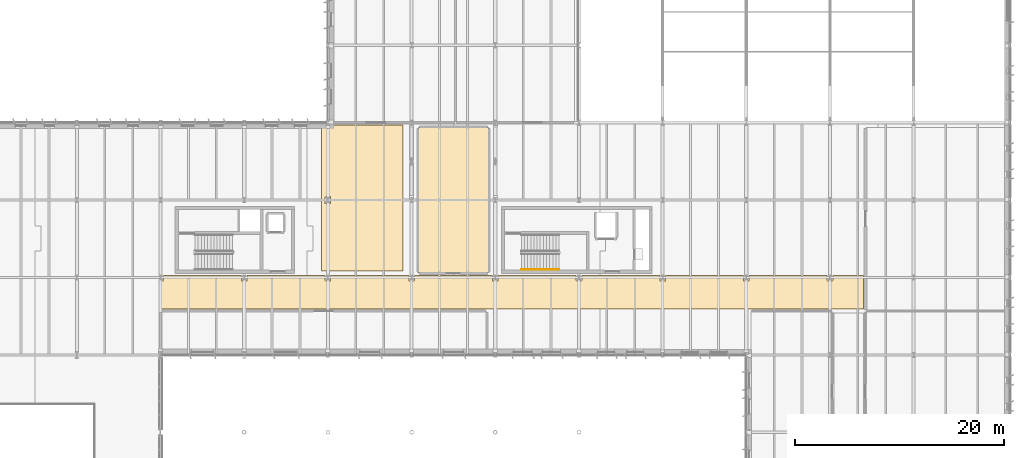
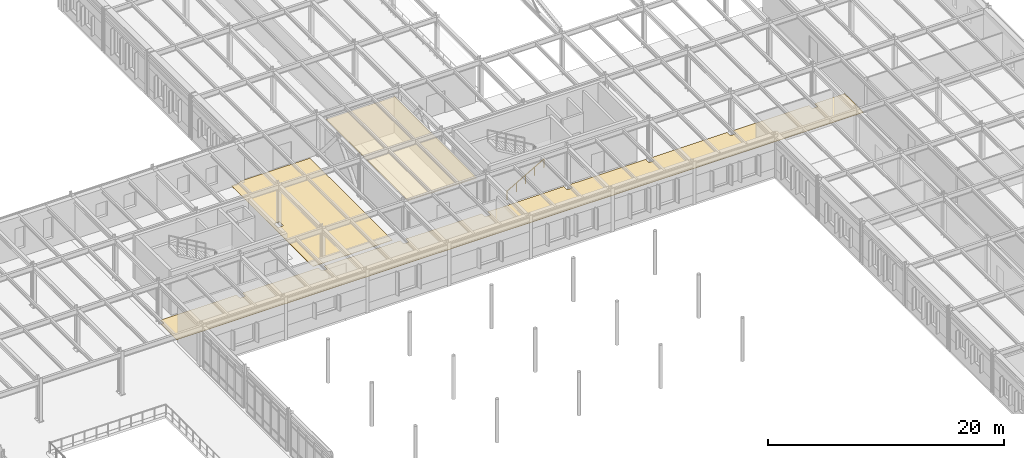
# One storey, part 67 of 75: 3 coverings, 1 railing.
"""IFC4 building model written with IfcOpenShell, lengths in metres."""

from ifc_helpers import new_model, si_unit, direction, frame, origin, origin_2d, place, context, subcontext, project, spatial, polyline, circle, outline, extrude, material, layer, layer_set, type_object, element, save


model = new_model("IFC4")

# Units and contexts
model_context = context("Model", 3, precision=1e-05, world=origin(), true_north=direction((0.0, 1.0)))
body_context = subcontext(model_context, "Body", "Model", "MODEL_VIEW")
ifc_project = project(units=[si_unit("LENGTHUNIT", "METRE"), si_unit("AREAUNIT", "SQUARE_METRE"), si_unit("VOLUMEUNIT", "CUBIC_METRE"), si_unit("PLANEANGLEUNIT", "RADIAN"), si_unit("MASSUNIT", "GRAM", prefix="KILO")], contexts=[model_context])

# Site, building, storey
site_placement = place(None, origin())
site = spatial("IfcSite", under=ifc_project, at=site_placement, CompositionType="ELEMENT")
building_placement = place(site_placement, origin())
building = spatial("IfcBuilding", under=site, at=building_placement, Name="Valkorina Park Police Headquarters", CompositionType="ELEMENT")
storey_placement = place(building_placement, frame((0.0, 0.0, 5.39990234375)))
storey = spatial("IfcBuildingStorey", under=building, at=storey_placement, Name="L02", CompositionType="ELEMENT", Elevation=5.39990234375)

# Coverings
ifc_material_1 = material(Name="Acoustic mineral board")
ifc_layer_1 = layer(ifc_material_1, 0.02490234375)
ifc_layer_set_1 = layer_set([ifc_layer_1], Name="Acoustic mineral board")
covering_type_1 = type_object("IfcCoveringType", Name="COV-CEILING-ACOUST", PredefinedType="CEILING", material=ifc_layer_set_1)
covering_1_placement = place(storey_placement, frame((0.0, 0.0, 3.6650390625)))
element("IfcCovering", 1, at=covering_1_placement, inside=storey, type_object=covering_type_1, Name="Network Core and Cryptography Room Acoustic Suspended Ceiling", PredefinedType="CEILING", context=body_context, shape_type="SweptSolid", body=[
    extrude(outline(polyline([(112.158447265625, 67.1044921875), (112.15966796875, 67.1123046875), (112.159912109375, 67.1201171875), (112.159912109375, 80.8798828125), (112.15966796875, 80.8876953125), (112.158447265625, 80.8955078125), (112.156494140625, 80.9033203125), (112.15380859375, 80.91064453125), (112.150634765625, 80.917724609375), (112.146484375, 80.92431640625), (112.141845703125, 80.930908203125), (112.13671875, 80.9365234375), (112.130859375, 80.94189453125), (112.12451171875, 80.946533203125), (112.11767578125, 80.95068359375), (112.110595703125, 80.953857421875), (112.103271484375, 80.95654296875), (112.095703125, 80.95849609375), (112.087890625, 80.959716796875), (112.080078125, 80.9599609375), (105.52001953125, 80.9599609375), (105.51220703125, 80.959716796875), (105.50439453125, 80.95849609375), (105.496826171875, 80.95654296875), (105.489501953125, 80.953857421875), (105.482421875, 80.95068359375), (105.4755859375, 80.946533203125), (105.46923828125, 80.94189453125), (105.46337890625, 80.9365234375), (105.458251953125, 80.930908203125), (105.45361328125, 80.92431640625), (105.449462890625, 80.917724609375), (105.446044921875, 80.91064453125), (105.443359375, 80.9033203125), (105.44140625, 80.8955078125), (105.4404296875, 80.8876953125), (105.43994140625, 80.8798828125), (105.43994140625, 67.1201171875), (105.4404296875, 67.1123046875), (105.44140625, 67.1044921875), (105.443359375, 67.0966796875), (105.446044921875, 67.08935546875), (105.449462890625, 67.082275390625), (105.45361328125, 67.07568359375), (105.458251953125, 67.069091796875), (105.46337890625, 67.0634765625), (105.46923828125, 67.05810546875), (105.4755859375, 67.053466796875), (105.482421875, 67.04931640625), (105.489501953125, 67.046142578125), (105.496826171875, 67.04345703125), (105.50439453125, 67.04150390625), (105.51220703125, 67.040283203125), (105.52001953125, 67.0400390625), (112.080078125, 67.0400390625), (112.087890625, 67.040283203125), (112.095703125, 67.04150390625), (112.103271484375, 67.04345703125), (112.110595703125, 67.046142578125), (112.11767578125, 67.04931640625), (112.12451171875, 67.053466796875), (112.130859375, 67.05810546875), (112.13671875, 67.0634765625), (112.141845703125, 67.069091796875), (112.146484375, 67.07568359375), (112.150634765625, 67.082275390625), (112.15380859375, 67.08935546875), (112.156494140625, 67.0966796875), (112.158447265625, 67.1044921875)])), origin(), (0.0, 0.0, 1.0), 0.025146484375),
])
ifc_material_2 = material(Name="Resin terrazzo flooring")
ifc_layer_2 = layer(ifc_material_2, 0.030029296875)
ifc_layer_set_2 = layer_set([ifc_layer_2], Name="Resin terrazzo flooring")
covering_type_2 = type_object("IfcCoveringType", Name="COV-FLOOR-TERRAZZO", PredefinedType="FLOORING", material=ifc_layer_set_2)
covering_2_placement = place(storey_placement, origin())
element("IfcCovering", 2, at=covering_2_placement, inside=storey, type_object=covering_type_2, Name="L02 IT and Forensics Corridor Terrazzo Flooring", PredefinedType="FLOORING", context=body_context, shape_type="SweptSolid", body=[
    extrude(outline(polyline([(81.070068359375, 66.3349609375), (81.069580078125, 66.3271484375), (81.068603515625, 66.3193359375), (81.066650390625, 66.311767578125), (81.06396484375, 66.304443359375), (81.060546875, 66.29736328125), (81.056396484375, 66.29052734375), (81.0517578125, 66.2841796875), (81.046630859375, 66.2783203125), (81.040771484375, 66.273193359375), (81.034423828125, 66.2685546875), (81.027587890625, 66.264404296875), (81.0205078125, 66.260986328125), (81.01318359375, 66.25830078125), (81.005615234375, 66.256591796875), (80.997802734375, 66.25537109375), (80.989990234375, 66.2548828125), (80.800048828125, 66.2548828125), (80.800048828125, 63.60009765625), (148.0, 63.60009765625), (148.0, 66.800048828125), (145.070068359375, 66.800048828125), (145.070068359375, 66.3349609375), (145.069580078125, 66.3271484375), (145.068603515625, 66.3193359375), (145.066650390625, 66.311767578125), (145.06396484375, 66.304443359375), (145.060546875, 66.29736328125), (145.056396484375, 66.29052734375), (145.0517578125, 66.2841796875), (145.046630859375, 66.2783203125), (145.040771484375, 66.273193359375), (145.034423828125, 66.2685546875), (145.027587890625, 66.264404296875), (145.0205078125, 66.260986328125), (145.01318359375, 66.25830078125), (145.005615234375, 66.256591796875), (144.997802734375, 66.25537109375), (144.989990234375, 66.2548828125), (144.610107421875, 66.2548828125), (144.602294921875, 66.25537109375), (144.594482421875, 66.256591796875), (144.5869140625, 66.25830078125), (144.579345703125, 66.260986328125), (144.572265625, 66.264404296875), (144.565673828125, 66.2685546875), (144.55908203125, 66.273193359375), (144.553466796875, 66.2783203125), (144.548095703125, 66.2841796875), (144.54345703125, 66.29052734375), (144.539306640625, 66.29736328125), (144.5361328125, 66.304443359375), (144.533447265625, 66.311767578125), (144.531494140625, 66.3193359375), (144.530517578125, 66.3271484375), (144.530029296875, 66.3349609375), (144.530029296875, 66.800048828125), (137.070068359375, 66.800048828125), (137.070068359375, 66.3349609375), (137.069580078125, 66.3271484375), (137.068603515625, 66.3193359375), (137.066650390625, 66.311767578125), (137.06396484375, 66.304443359375), (137.060546875, 66.29736328125), (137.056396484375, 66.29052734375), (137.0517578125, 66.2841796875), (137.046630859375, 66.2783203125), (137.040771484375, 66.273193359375), (137.034423828125, 66.2685546875), (137.027587890625, 66.264404296875), (137.0205078125, 66.260986328125), (137.01318359375, 66.25830078125), (137.005615234375, 66.256591796875), (136.997802734375, 66.25537109375), (136.989990234375, 66.2548828125), (136.610107421875, 66.2548828125), (136.602294921875, 66.25537109375), (136.594482421875, 66.256591796875), (136.5869140625, 66.25830078125), (136.579345703125, 66.260986328125), (136.572265625, 66.264404296875), (136.565673828125, 66.2685546875), (136.55908203125, 66.273193359375), (136.553466796875, 66.2783203125), (136.548095703125, 66.2841796875), (136.54345703125, 66.29052734375), (136.539306640625, 66.29736328125), (136.5361328125, 66.304443359375), (136.533447265625, 66.311767578125), (136.531494140625, 66.3193359375), (136.530517578125, 66.3271484375), (136.530029296875, 66.3349609375), (136.530029296875, 66.800048828125), (129.070068359375, 66.800048828125), (129.070068359375, 66.3349609375), (129.069580078125, 66.3271484375), (129.068603515625, 66.3193359375), (129.066650390625, 66.311767578125), (129.06396484375, 66.304443359375), (129.060546875, 66.29736328125), (129.056396484375, 66.29052734375), (129.0517578125, 66.2841796875), (129.046630859375, 66.2783203125), (129.040771484375, 66.273193359375), (129.034423828125, 66.2685546875), (129.027587890625, 66.264404296875), (129.0205078125, 66.260986328125), (129.01318359375, 66.25830078125), (129.005615234375, 66.256591796875), (128.997802734375, 66.25537109375), (128.989990234375, 66.2548828125), (128.610107421875, 66.2548828125), (128.602294921875, 66.25537109375), (128.594482421875, 66.256591796875), (128.5869140625, 66.25830078125), (128.579345703125, 66.260986328125), (128.572265625, 66.264404296875), (128.565673828125, 66.2685546875), (128.55908203125, 66.273193359375), (128.553466796875, 66.2783203125), (128.548095703125, 66.2841796875), (128.54345703125, 66.29052734375), (128.539306640625, 66.29736328125), (128.5361328125, 66.304443359375), (128.533447265625, 66.311767578125), (128.531494140625, 66.3193359375), (128.530517578125, 66.3271484375), (128.530029296875, 66.3349609375), (128.530029296875, 66.800048828125), (121.070068359375, 66.800048828125), (121.070068359375, 66.3349609375), (121.069580078125, 66.3271484375), (121.068603515625, 66.3193359375), (121.066650390625, 66.311767578125), (121.06396484375, 66.304443359375), (121.060546875, 66.29736328125), (121.056396484375, 66.29052734375), (121.0517578125, 66.2841796875), (121.046630859375, 66.2783203125), (121.040771484375, 66.273193359375), (121.034423828125, 66.2685546875), (121.027587890625, 66.264404296875), (121.0205078125, 66.260986328125), (121.01318359375, 66.25830078125), (121.005615234375, 66.256591796875), (120.997802734375, 66.25537109375), (120.989990234375, 66.2548828125), (120.610107421875, 66.2548828125), (120.602294921875, 66.25537109375), (120.594482421875, 66.256591796875), (120.5869140625, 66.25830078125), (120.579345703125, 66.260986328125), (120.572265625, 66.264404296875), (120.565673828125, 66.2685546875), (120.55908203125, 66.273193359375), (120.553466796875, 66.2783203125), (120.548095703125, 66.2841796875), (120.54345703125, 66.29052734375), (120.539306640625, 66.29736328125), (120.5361328125, 66.304443359375), (120.533447265625, 66.311767578125), (120.531494140625, 66.3193359375), (120.530517578125, 66.3271484375), (120.530029296875, 66.3349609375), (120.530029296875, 66.800048828125), (113.070068359375, 66.800048828125), (113.070068359375, 66.3349609375), (113.069580078125, 66.3271484375), (113.068603515625, 66.3193359375), (113.066650390625, 66.311767578125), (113.06396484375, 66.304443359375), (113.060546875, 66.29736328125), (113.056396484375, 66.29052734375), (113.0517578125, 66.2841796875), (113.046630859375, 66.2783203125), (113.040771484375, 66.273193359375), (113.034423828125, 66.2685546875), (113.027587890625, 66.264404296875), (113.0205078125, 66.260986328125), (113.01318359375, 66.25830078125), (113.005615234375, 66.256591796875), (112.997802734375, 66.25537109375), (112.989990234375, 66.2548828125), (112.610107421875, 66.2548828125), (112.602294921875, 66.25537109375), (112.594482421875, 66.256591796875), (112.5869140625, 66.25830078125), (112.579345703125, 66.260986328125), (112.572265625, 66.264404296875), (112.565673828125, 66.2685546875), (112.55908203125, 66.273193359375), (112.553466796875, 66.2783203125), (112.548095703125, 66.2841796875), (112.54345703125, 66.29052734375), (112.539306640625, 66.29736328125), (112.5361328125, 66.304443359375), (112.533447265625, 66.311767578125), (112.531494140625, 66.3193359375), (112.530517578125, 66.3271484375), (112.530029296875, 66.3349609375), (112.530029296875, 66.800048828125), (105.070068359375, 66.800048828125), (105.070068359375, 66.3349609375), (105.069580078125, 66.3271484375), (105.068603515625, 66.3193359375), (105.066650390625, 66.311767578125), (105.06396484375, 66.304443359375), (105.060546875, 66.29736328125), (105.056396484375, 66.29052734375), (105.0517578125, 66.2841796875), (105.046630859375, 66.2783203125), (105.040771484375, 66.273193359375), (105.034423828125, 66.2685546875), (105.027587890625, 66.264404296875), (105.0205078125, 66.260986328125), (105.01318359375, 66.25830078125), (105.005615234375, 66.256591796875), (104.997802734375, 66.25537109375), (104.989990234375, 66.2548828125), (104.610107421875, 66.2548828125), (104.602294921875, 66.25537109375), (104.594482421875, 66.256591796875), (104.5869140625, 66.25830078125), (104.579345703125, 66.260986328125), (104.572265625, 66.264404296875), (104.565673828125, 66.2685546875), (104.55908203125, 66.273193359375), (104.553466796875, 66.2783203125), (104.548095703125, 66.2841796875), (104.54345703125, 66.29052734375), (104.539306640625, 66.29736328125), (104.5361328125, 66.304443359375), (104.533447265625, 66.311767578125), (104.531494140625, 66.3193359375), (104.530517578125, 66.3271484375), (104.530029296875, 66.3349609375), (104.530029296875, 66.800048828125), (97.070068359375, 66.800048828125), (97.070068359375, 66.3349609375), (97.069580078125, 66.3271484375), (97.068603515625, 66.3193359375), (97.066650390625, 66.311767578125), (97.06396484375, 66.304443359375), (97.060546875, 66.29736328125), (97.056396484375, 66.29052734375), (97.0517578125, 66.2841796875), (97.046630859375, 66.2783203125), (97.040771484375, 66.273193359375), (97.034423828125, 66.2685546875), (97.027587890625, 66.264404296875), (97.0205078125, 66.260986328125), (97.01318359375, 66.25830078125), (97.005615234375, 66.256591796875), (96.997802734375, 66.25537109375), (96.989990234375, 66.2548828125), (96.610107421875, 66.2548828125), (96.602294921875, 66.25537109375), (96.594482421875, 66.256591796875), (96.5869140625, 66.25830078125), (96.579345703125, 66.260986328125), (96.572265625, 66.264404296875), (96.565673828125, 66.2685546875), (96.55908203125, 66.273193359375), (96.553466796875, 66.2783203125), (96.548095703125, 66.2841796875), (96.54345703125, 66.29052734375), (96.539306640625, 66.29736328125), (96.5361328125, 66.304443359375), (96.533447265625, 66.311767578125), (96.531494140625, 66.3193359375), (96.530517578125, 66.3271484375), (96.530029296875, 66.3349609375), (96.530029296875, 66.800048828125), (89.070068359375, 66.800048828125), (89.070068359375, 66.3349609375), (89.069580078125, 66.3271484375), (89.068603515625, 66.3193359375), (89.066650390625, 66.311767578125), (89.06396484375, 66.304443359375), (89.060546875, 66.29736328125), (89.056396484375, 66.29052734375), (89.0517578125, 66.2841796875), (89.046630859375, 66.2783203125), (89.040771484375, 66.273193359375), (89.034423828125, 66.2685546875), (89.027587890625, 66.264404296875), (89.0205078125, 66.260986328125), (89.01318359375, 66.25830078125), (89.005615234375, 66.256591796875), (88.997802734375, 66.25537109375), (88.989990234375, 66.2548828125), (88.610107421875, 66.2548828125), (88.602294921875, 66.25537109375), (88.594482421875, 66.256591796875), (88.5869140625, 66.25830078125), (88.579345703125, 66.260986328125), (88.572265625, 66.264404296875), (88.565673828125, 66.2685546875), (88.55908203125, 66.273193359375), (88.553466796875, 66.2783203125), (88.548095703125, 66.2841796875), (88.54345703125, 66.29052734375), (88.539306640625, 66.29736328125), (88.5361328125, 66.304443359375), (88.533447265625, 66.311767578125), (88.531494140625, 66.3193359375), (88.530517578125, 66.3271484375), (88.530029296875, 66.3349609375), (88.530029296875, 66.800048828125), (81.070068359375, 66.800048828125), (81.070068359375, 66.3349609375)])), origin(), (0.0, 0.0, 1.0), 0.030029296875),
])
covering_3_placement = place(storey_placement, origin())
element("IfcCovering", 3, at=covering_3_placement, inside=storey, type_object=covering_type_2, Name="L02 Briefing Auditorium Corridor Terrazzo Flooring", PredefinedType="FLOORING", context=body_context, shape_type="SweptSolid", body=[
    extrude(outline(polyline([(96.803955078125, 81.0), (96.800048828125, 81.0), (96.199951171875, 81.0), (96.199951171875, 67.199951171875), (104.0, 67.199951171875), (104.0, 81.199951171875), (97.14599609375, 81.199951171875), (97.134765625, 81.18115234375), (97.13037109375, 81.174560546875), (97.111572265625, 81.1494140625), (97.106689453125, 81.143310546875), (97.085693359375, 81.1201171875), (97.080078125, 81.114501953125), (97.059814453125, 81.09619140625), (97.056396484375, 81.090576171875), (97.0517578125, 81.084228515625), (97.046630859375, 81.078369140625), (97.040771484375, 81.0732421875), (97.034423828125, 81.068603515625), (97.027587890625, 81.064453125), (97.0205078125, 81.06103515625), (97.01318359375, 81.058349609375), (97.005615234375, 81.056396484375), (97.00390625, 81.056396484375), (96.991943359375, 81.04931640625), (96.985107421875, 81.04541015625), (96.956787109375, 81.031982421875), (96.949462890625, 81.029052734375), (96.919921875, 81.0185546875), (96.912353515625, 81.01611328125), (96.8818359375, 81.008544921875), (96.874267578125, 81.007080078125), (96.843017578125, 81.00244140625), (96.835205078125, 81.001708984375), (96.803955078125, 81.0)]), holes=[polyline([(97.070068359375, 73.735107421875), (97.069580078125, 73.727294921875), (97.068603515625, 73.719482421875), (97.066650390625, 73.7119140625), (97.06396484375, 73.704345703125), (97.060546875, 73.697265625), (97.056396484375, 73.690673828125), (97.0517578125, 73.68408203125), (97.046630859375, 73.678466796875), (97.040771484375, 73.673095703125), (97.034423828125, 73.66845703125), (97.027587890625, 73.664306640625), (97.0205078125, 73.6611328125), (97.01318359375, 73.658447265625), (97.005615234375, 73.656494140625), (96.997802734375, 73.655517578125), (96.989990234375, 73.655029296875), (96.610107421875, 73.655029296875), (96.602294921875, 73.655517578125), (96.594482421875, 73.656494140625), (96.5869140625, 73.658447265625), (96.579345703125, 73.6611328125), (96.572265625, 73.664306640625), (96.565673828125, 73.66845703125), (96.55908203125, 73.673095703125), (96.553466796875, 73.678466796875), (96.548095703125, 73.68408203125), (96.54345703125, 73.690673828125), (96.539306640625, 73.697265625), (96.5361328125, 73.704345703125), (96.533447265625, 73.7119140625), (96.531494140625, 73.719482421875), (96.530517578125, 73.727294921875), (96.530029296875, 73.735107421875), (96.530029296875, 74.264892578125), (96.530517578125, 74.272705078125), (96.531494140625, 74.280517578125), (96.533447265625, 74.2880859375), (96.5361328125, 74.295654296875), (96.539306640625, 74.302734375), (96.54345703125, 74.309326171875), (96.548095703125, 74.31591796875), (96.553466796875, 74.321533203125), (96.55908203125, 74.326904296875), (96.565673828125, 74.33154296875), (96.572265625, 74.335693359375), (96.579345703125, 74.3388671875), (96.5869140625, 74.341552734375), (96.594482421875, 74.343505859375), (96.602294921875, 74.344482421875), (96.610107421875, 74.344970703125), (96.989990234375, 74.344970703125), (96.997802734375, 74.344482421875), (97.005615234375, 74.343505859375), (97.01318359375, 74.341552734375), (97.0205078125, 74.3388671875), (97.027587890625, 74.335693359375), (97.034423828125, 74.33154296875), (97.040771484375, 74.326904296875), (97.046630859375, 74.321533203125), (97.0517578125, 74.31591796875), (97.056396484375, 74.309326171875), (97.060546875, 74.302734375), (97.06396484375, 74.295654296875), (97.066650390625, 74.2880859375), (97.068603515625, 74.280517578125), (97.069580078125, 74.272705078125), (97.070068359375, 74.264892578125), (97.070068359375, 73.735107421875)])]), origin(), (0.0, 0.0, 1.0), 0.030029296875),
])

# Railing
ifc_material_3 = material(Name="Stainless steel EN 1.4404", Category="steel")
railing_type = type_object("IfcRailingType", Name="RL-HANDRAIL-900", PredefinedType="HANDRAIL", material=ifc_material_3)
railing_placement = place(storey_placement, frame((115.300048828125, 67.35009765625, 0.173095703125)))
element("IfcRailing", 4, at=railing_placement, inside=storey, type_object=railing_type, Name="L02 Core C5 Stair Handrail 1", PredefinedType="HANDRAIL", context=body_context, shape_type="SweptSolid", body=[
    extrude(circle(Radius=0.02392578125, at=origin_2d()), frame((0.0, 0.0, 0.8759765625), z_axis=(0.866178740119, 0.0, 0.499734319579), x_axis=(0.0, 1.0, 0.0)), (0.0, 0.0, 1.0), 4.156005859375),
    extrude(circle(Radius=0.02099609375, at=origin_2d()), origin(), (0.0, 0.0, 1.0), 0.851806640625),
    extrude(circle(Radius=0.02099609375, at=origin_2d()), frame((0.89990234375, 0.0, 0.519287109375)), (0.0, 0.0, 1.0), 0.851806640625),
    extrude(circle(Radius=0.02099609375, at=origin_2d()), frame((1.7998046875, 0.0, 1.03857421875)), (0.0, 0.0, 1.0), 0.851806640625),
    extrude(circle(Radius=0.02099609375, at=origin_2d()), frame((2.699951171875, 0.0, 1.5576171875)), (0.0, 0.0, 1.0), 0.851806640625),
    extrude(circle(Radius=0.02099609375, at=origin_2d()), frame((3.599853515625, 0.0, 2.076904296875)), (0.0, 0.0, 1.0), 0.851806640625),
])

save(model, "model.ifc")
